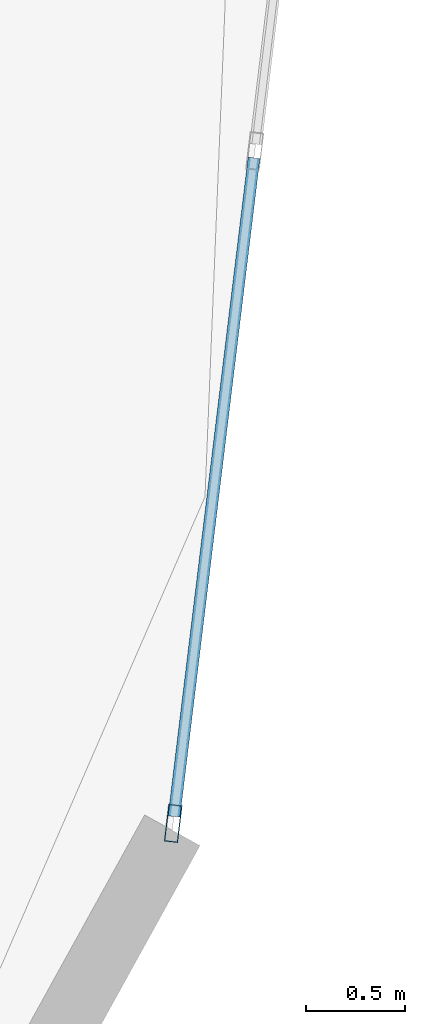
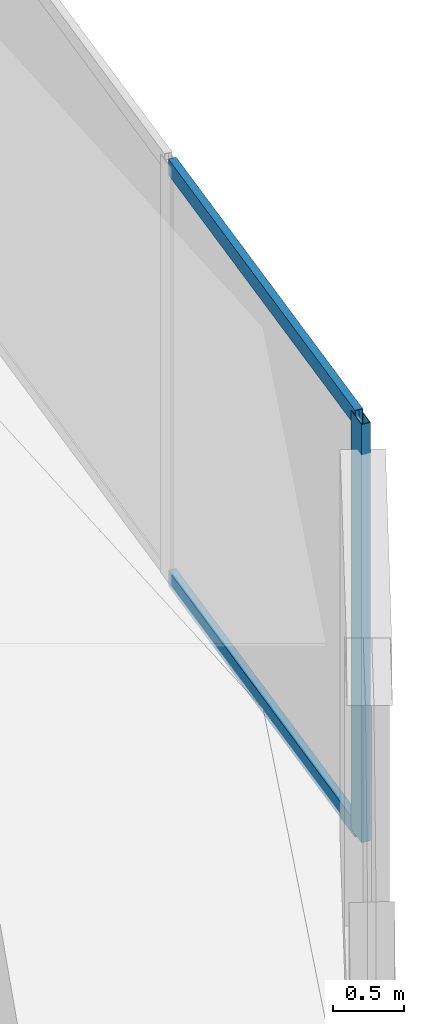
# One storey, part 12 of 26: 3 members, 1 element without a shape of its own.
"""IFC4 building model written with IfcOpenShell, lengths in metres."""

import ifcopenshell
import ifcopenshell.guid

model = None  # the IFC model being written
_history = None  # IfcOwnerHistory: only IFC2X3 demands one
_inside = {}  # id of a spatial element -> (the spatial element, [elements in it])
_under = {}  # id of a project, library or spatial element -> (it, [spatial elements below it])
_declared = {}  # id of a project -> (the project, [libraries it declares])
_typed = {}  # id of a type object -> (the type object, [elements of that type])
_made_of = {}  # id of a material, layer set ... -> (it, [elements and type objects made of it])


def new_model(schema):
    """Start an empty IFC model of exactly this schema.

    Asked for "IFC4X3", IfcOpenShell would pick the latest addendum, in which some entities
    have other attributes; the version numbers below select the first issue.
    IFC2X3 requires an IfcOwnerHistory on every rooted entity: one is made here for all.
    """
    global model, _history
    if schema == "IFC4X3":
        model = ifcopenshell.file(schema_version=(4, 3, 0, 0))
    else:
        model = ifcopenshell.file(schema=schema)
    _inside.clear()
    _under.clear()
    _declared.clear()
    _typed.clear()
    _made_of.clear()
    _history = None
    if model.schema == "IFC2X3":
        org = make("IfcOrganization", Name="unknown")
        user = make(
            "IfcPersonAndOrganization",
            ThePerson=make("IfcPerson", FamilyName="unknown"),
            TheOrganization=org,
        )
        app = make(
            "IfcApplication",
            ApplicationDeveloper=org,
            Version="unknown",
            ApplicationFullName="unknown",
            ApplicationIdentifier="unknown",
        )
        _history = make(
            "IfcOwnerHistory",
            OwningUser=user,
            OwningApplication=app,
            ChangeAction="ADDED",
            CreationDate=0,
        )
    return model


def make(cls, **values):
    """One entity of the class cls with the attributes given. An attribute that is None is left unset."""
    return model.create_entity(
        cls, **{name: value for name, value in values.items() if value is not None}
    )


def rooted(cls, **values):
    """An entity with a GlobalId (a new one), such as an element, a storey or a relation."""
    return make(cls, GlobalId=ifcopenshell.guid.new(), OwnerHistory=_history, **values)


def si_unit(unit_type, name, prefix=None):
    """IfcSIUnit, for example si_unit("LENGTHUNIT", "METRE", prefix="MILLI")."""
    return make("IfcSIUnit", UnitType=unit_type, Prefix=prefix, Name=name)


def assignment(units):
    """IfcUnitAssignment: the units of a project."""
    return None if units is None else make("IfcUnitAssignment", Units=units)


def point(xyz):
    """IfcCartesianPoint."""
    return None if xyz is None else make("IfcCartesianPoint", Coordinates=xyz)


def direction(xyz):
    """IfcDirection."""
    return None if xyz is None else make("IfcDirection", DirectionRatios=xyz)


def frame(location, z_axis=None, x_axis=None):
    """IfcAxis2Placement3D, a coordinate frame: its origin and axes. An axis left out is left unset."""
    return make(
        "IfcAxis2Placement3D",
        Location=point(location),
        Axis=direction(z_axis),
        RefDirection=direction(x_axis),
    )


def frame_2d(location, x_axis=None):
    """IfcAxis2Placement2D, a coordinate frame in the plane: its origin and x axis."""
    return make(
        "IfcAxis2Placement2D", Location=point(location), RefDirection=direction(x_axis)
    )


def origin():
    """The frame at (0, 0, 0) with its axes left unset."""
    return frame((0.0, 0.0, 0.0))


def origin_2d():
    """The frame at (0, 0) in the plane with its x axis left unset."""
    return frame_2d((0.0, 0.0))


def place(relative_to, where):
    """IfcLocalPlacement: puts the frame where relative to a parent placement (None: the world)."""
    return make(
        "IfcLocalPlacement", PlacementRelTo=relative_to, RelativePlacement=where
    )


def context(
    kind, dimensions, precision=None, world=None, true_north=None, identifier=None
):
    """IfcGeometricRepresentationContext, for example the 3D "Model" context."""
    return make(
        "IfcGeometricRepresentationContext",
        ContextIdentifier=identifier,
        ContextType=kind,
        CoordinateSpaceDimension=dimensions,
        Precision=precision,
        WorldCoordinateSystem=world,
        TrueNorth=true_north,
    )


def subcontext(parent, identifier, kind, view, scale=None):
    """IfcGeometricRepresentationSubContext, for example "Body" below "Model"."""
    return make(
        "IfcGeometricRepresentationSubContext",
        ContextIdentifier=identifier,
        ContextType=kind,
        ParentContext=parent,
        TargetScale=scale,
        TargetView=view,
    )


def project(units=None, contexts=None):
    """IfcProject with its units and contexts."""
    return rooted(
        "IfcProject",
        Name="project",
        RepresentationContexts=contexts,
        UnitsInContext=assignment(units),
    )


def spatial(cls, under=None, at=None, **own):
    """A site, building, storey or space (cls), placed at a placement, below another one or the project."""
    s = rooted(cls, ObjectPlacement=at, **own)
    if under is not None:
        _under.setdefault(under.id(), (under, []))[1].append(s)
    return s


def profile(cls, at=None, kind="AREA", **sizes):
    """A parametric profile (cls). Its sizes go by their IFC names, for example OverallWidth=200.0."""
    return make(cls, ProfileType=kind, Position=at, **sizes)


def hollow_rectangle(**sizes):
    """IfcRectangleHollowProfileDef."""
    return profile("IfcRectangleHollowProfileDef", **sizes)


def extrude(swept, where, along, depth):
    """IfcExtrudedAreaSolid: the profile swept, set in the frame where, extruded along a direction by depth."""
    return make(
        "IfcExtrudedAreaSolid",
        SweptArea=swept,
        Position=where,
        ExtrudedDirection=direction(along),
        Depth=depth,
    )


def shape(context_of_items, identifier, shape_type, items):
    """IfcShapeRepresentation: the items that make up one representation, for example the "Body"."""
    return make(
        "IfcShapeRepresentation",
        ContextOfItems=context_of_items,
        RepresentationIdentifier=identifier,
        RepresentationType=shape_type,
        Items=items,
    )


def source(mapping_origin, context_of_items, identifier, shape_type, items):
    """IfcRepresentationMap: a shape defined once, which mapped items show again and again."""
    return make(
        "IfcRepresentationMap",
        MappingOrigin=mapping_origin,
        MappedRepresentation=shape(context_of_items, identifier, shape_type, items),
    )


def transform(
    local_origin,
    x_axis=None,
    y_axis=None,
    z_axis=None,
    scale=None,
    scale2=None,
    scale3=None,
    uniform=True,
):
    """IfcCartesianTransformationOperator3D, or its non-uniform kind. x_axis, y_axis, z_axis: its Axis1, 2, 3."""
    if uniform:
        return make(
            "IfcCartesianTransformationOperator3D",
            Axis1=direction(x_axis),
            Axis2=direction(y_axis),
            LocalOrigin=point(local_origin),
            Scale=scale,
            Axis3=direction(z_axis),
        )
    return make(
        "IfcCartesianTransformationOperator3DnonUniform",
        Axis1=direction(x_axis),
        Axis2=direction(y_axis),
        LocalOrigin=point(local_origin),
        Scale=scale,
        Axis3=direction(z_axis),
        Scale2=scale2,
        Scale3=scale3,
    )


def mapped(mapping_source, mapping_target):
    """IfcMappedItem: shows the shape of a source again, moved by a transform."""
    return make(
        "IfcMappedItem", MappingSource=mapping_source, MappingTarget=mapping_target
    )


def material(Name=None, Category=None):
    """IfcMaterial."""
    return make("IfcMaterial", Name=Name, Category=Category)


def layer(
    of_material, thickness, ventilated=None, Name=None, Category=None, Priority=None
):
    """IfcMaterialLayer: one layer of a wall or slab, of a material (None: an air gap)."""
    return make(
        "IfcMaterialLayer",
        Material=of_material,
        LayerThickness=thickness,
        IsVentilated=ventilated,
        Name=Name,
        Category=Category,
        Priority=Priority,
    )


def layer_set(layers, Name=None):
    """IfcMaterialLayerSet."""
    return make("IfcMaterialLayerSet", MaterialLayers=layers, LayerSetName=Name)


def material_profile(
    of_material, cross_section, Name=None, Category=None, Priority=None
):
    """IfcMaterialProfile: a cross section and its material."""
    return make(
        "IfcMaterialProfile",
        Name=Name,
        Material=of_material,
        Profile=cross_section,
        Priority=Priority,
        Category=Category,
    )


def profile_set(profiles, Name=None, composite=None):
    """IfcMaterialProfileSet."""
    return make(
        "IfcMaterialProfileSet",
        Name=Name,
        MaterialProfiles=profiles,
        CompositeProfile=composite,
    )


def made_of(thing, what):
    """Note that an element or type object is made of a material, layer set ...; save() writes the relation."""
    if what is not None:
        _made_of.setdefault(what.id(), (what, []))[1].append(thing)
    return thing


def type_object(cls, material=None, **own):
    """A type object (cls), such as IfcWallType, which elements share."""
    return made_of(rooted(cls, **own), material)


def element(
    cls,
    number,
    at=None,
    inside=None,
    cuts=None,
    type_object=None,
    material=None,
    context=None,
    identifier="Body",
    shape_type=None,
    held_by="IfcProductDefinitionShape",
    body=None,
    shapes=None,
    **own,
):
    """One element of the class cls, such as IfcWall. Its Tag is "e" and its number.

    at: its placement. inside: the storey or other place that contains it. cuts: it is an
    opening in that element (IfcRelVoidsElement). A single representation is given by context,
    identifier, shape_type and body (its items); several are given by shapes. held_by: the class
    of the entity that holds the representations. save() writes the other relations.
    """
    e = rooted(cls, Tag="e%d" % number, ObjectPlacement=at, **own)
    if body is not None:
        shapes = [shape(context, identifier, shape_type, body)]
    if shapes is not None:
        e.Representation = make(held_by, Representations=shapes)
    if inside is not None:
        _inside.setdefault(inside.id(), (inside, []))[1].append(e)
    if cuts is not None:
        rooted(
            "IfcRelVoidsElement", RelatingBuildingElement=cuts, RelatedOpeningElement=e
        )
    if type_object is not None:
        _typed.setdefault(type_object.id(), (type_object, []))[1].append(e)
    return made_of(e, material)


def aggregate(whole, parts):
    """IfcRelAggregates: a whole, such as a stair, and the parts it consists of."""
    return rooted("IfcRelAggregates", RelatingObject=whole, RelatedObjects=parts)


def save(model, path):
    """Write the relations noted so far, then the file.

    IfcRelAggregates (storeys below a building ...), IfcRelContainedInSpatialStructure (elements
    in a storey), IfcRelDefinesByType, IfcRelAssociatesMaterial and IfcRelDeclares: one each for
    every whole, place, type object, material and project.
    """
    for whole, parts in _under.values():
        aggregate(whole, parts)
    for where, things in _inside.values():
        rooted(
            "IfcRelContainedInSpatialStructure",
            RelatedElements=things,
            RelatingStructure=where,
        )
    for kind, things in _typed.values():
        rooted("IfcRelDefinesByType", RelatedObjects=things, RelatingType=kind)
    for what, things in _made_of.values():
        rooted("IfcRelAssociatesMaterial", RelatedObjects=things, RelatingMaterial=what)
    for by, libraries in _declared.values():
        rooted("IfcRelDeclares", RelatingContext=by, RelatedDefinitions=libraries)
    model.write(path)


model = new_model("IFC4")

# Units and contexts
model_context = context("Model", 3, precision=1e-05, world=origin(), true_north=direction((0.0, 1.0)))
body_context = subcontext(model_context, "Body", "Model", "MODEL_VIEW")
ifc_project = project(units=[si_unit("LENGTHUNIT", "METRE"), si_unit("AREAUNIT", "SQUARE_METRE"), si_unit("VOLUMEUNIT", "CUBIC_METRE"), si_unit("PLANEANGLEUNIT", "RADIAN"), si_unit("MASSUNIT", "GRAM", prefix="KILO")], contexts=[model_context])

# Site, building, storey
site_placement = place(None, origin())
site = spatial("IfcSite", under=ifc_project, at=site_placement, CompositionType="ELEMENT")
building_placement = place(site_placement, origin())
building = spatial("IfcBuilding", under=site, at=building_placement, Name="Solvirekh Grand Hotel", CompositionType="ELEMENT")
storey_placement = place(building_placement, frame((0.0, 0.0, 68.0)))
storey = spatial("IfcBuildingStorey", under=building, at=storey_placement, Name="L16", CompositionType="ELEMENT", Elevation=68.0)

# Curtain wall, members
ifc_material = material(Name="Anodized Bronze Aluminium 6063-T6", Category="aluminium")
ifc_layer = layer(ifc_material, 0.18994140625)
ifc_layer_set = layer_set([ifc_layer], Name="Anodized Bronze Aluminium 6063-T6")
curtain_wall_type = type_object("IfcCurtainWallType", Name="CW_Sys2_LowZoneFlushBronzeCW", PredefinedType="NOTDEFINED", material=ifc_layer_set)
curtain_wall_placement = place(storey_placement, origin())
curtain_wall = element("IfcCurtainWall", 1, at=curtain_wall_placement, inside=storey, type_object=curtain_wall_type, Name="L16 unitised bronze-glass curtain wall CW-L16-C01", PredefinedType="NOTDEFINED")
ifc_material_profile_1 = material_profile(ifc_material, hollow_rectangle(XDim=0.070068359375, YDim=0.18994140625, WallThickness=0.0048828125, at=origin_2d()), Name="ALU RHS 190X70X5")
ifc_profile_set_1 = profile_set([ifc_material_profile_1], Name="Anodized Bronze Aluminium 6063-T6")
member_type_1 = type_object("IfcMemberType", Name="CWMullion_Sys2", PredefinedType="MULLION", material=ifc_profile_set_1)
shared_shape_1 = source(origin(), body_context, "Body", "SweptSolid", [
    extrude(hollow_rectangle(XDim=0.070068359375, YDim=0.18994140625, WallThickness=0.0048828125, at=origin_2d()), origin(), (0.0, 0.0, 1.0), 3.60009765625),
])
member_1_placement = place(storey_placement, frame((24.544189453125, -8.273193359375, 0.0), z_axis=(0.0, 0.0, 1.0), x_axis=(-0.992707104248, 0.12055125539, 0.0)))
member_1 = element("IfcMember", 2, at=member_1_placement, type_object=member_type_1, Name="U02 mullion 1", PredefinedType="MULLION", context=body_context, shape_type="MappedRepresentation", body=[
    mapped(shared_shape_1, transform((0.0, 0.0, 0.0), x_axis=(1.0, 0.0, 0.0), y_axis=(0.0, 1.0, 0.0), z_axis=(0.0, 0.0, 1.0), scale=1.0)),
])
ifc_material_profile_2 = material_profile(ifc_material, hollow_rectangle(XDim=0.06005859375, YDim=0.135009765625, WallThickness=0.00390625, at=origin_2d()), Name="ALU RHS 135X60X4")
ifc_profile_set_2 = profile_set([ifc_material_profile_2], Name="Anodized Bronze Aluminium 6063-T6")
member_type_2 = type_object("IfcMemberType", Name="CWTransom_Sys2", PredefinedType="USERDEFINED", material=ifc_profile_set_2)
shared_shape_2 = source(origin(), body_context, "Body", "SweptSolid", [
    extrude(hollow_rectangle(XDim=0.06005859375, YDim=0.135009765625, WallThickness=0.00390625, at=origin_2d()), origin(), (0.0, 0.0, 1.0), 3.358154296875),
])
member_2_placement = place(storey_placement, frame((24.54833984375, -8.238525390625, 0.030029296875), z_axis=(0.120607091494, 0.992700322092, 0.0), x_axis=(-0.992700322092, 0.120607091494, 0.0)))
member_2 = element("IfcMember", 3, at=member_2_placement, type_object=member_type_2, Name="U02 transom 1.1", ObjectType="TRANSOM", PredefinedType="USERDEFINED", context=body_context, shape_type="MappedRepresentation", body=[
    mapped(shared_shape_2, transform((0.0, 0.0, 0.0), x_axis=(1.0, 0.0, 0.0), y_axis=(0.0, 1.0, 0.0), z_axis=(0.0, 0.0, 1.0), scale=1.0)),
])
member_3_placement = place(storey_placement, frame((24.54833984375, -8.238525390625, 3.570068359375), z_axis=(0.120607091494, 0.992700322092, 0.0), x_axis=(-0.992700322092, 0.120607091494, 0.0)))
member_3 = element("IfcMember", 4, at=member_3_placement, type_object=member_type_2, Name="U02 transom 1.2", ObjectType="TRANSOM", PredefinedType="USERDEFINED", context=body_context, shape_type="MappedRepresentation", body=[
    mapped(shared_shape_2, transform((0.0, 0.0, 0.0), x_axis=(1.0, 0.0, 0.0), y_axis=(0.0, 1.0, 0.0), z_axis=(0.0, 0.0, 1.0), scale=1.0)),
])
aggregate(curtain_wall, [member_1, member_2, member_3])

save(model, "model.ifc")
